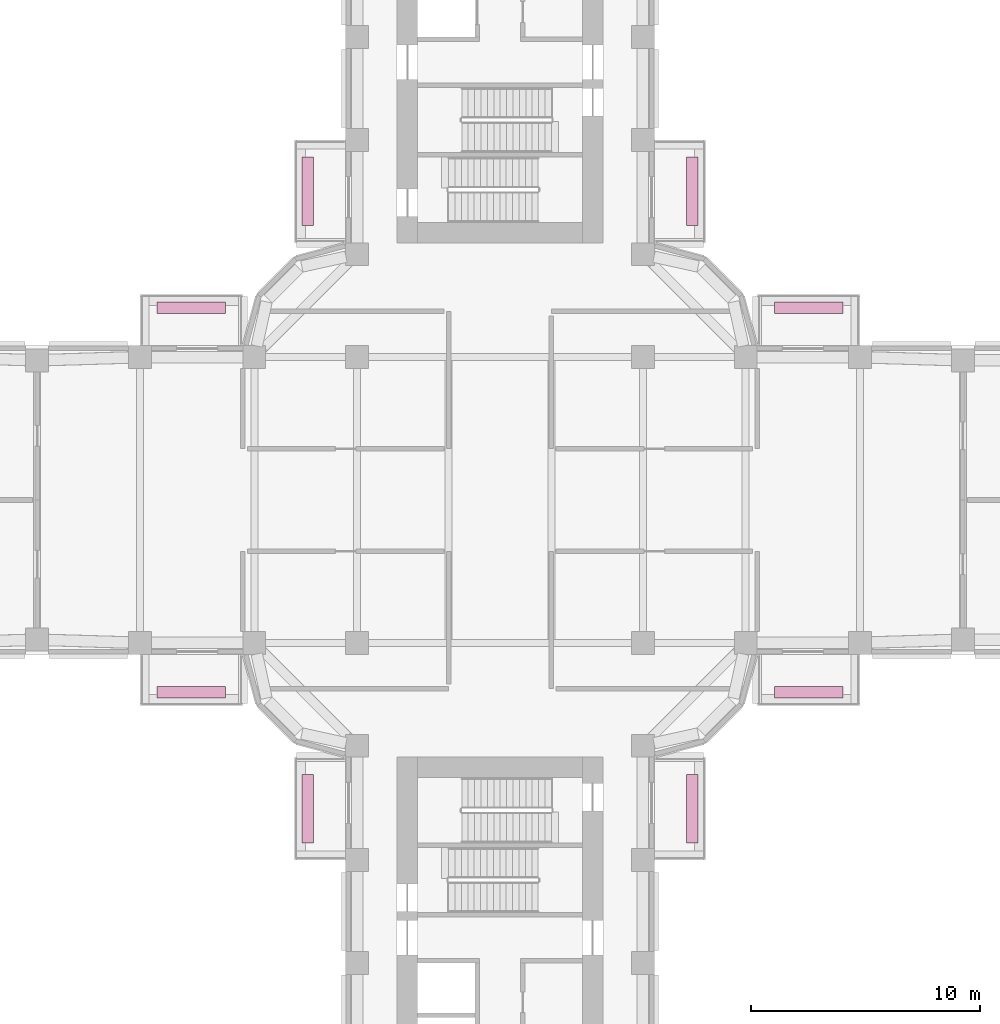
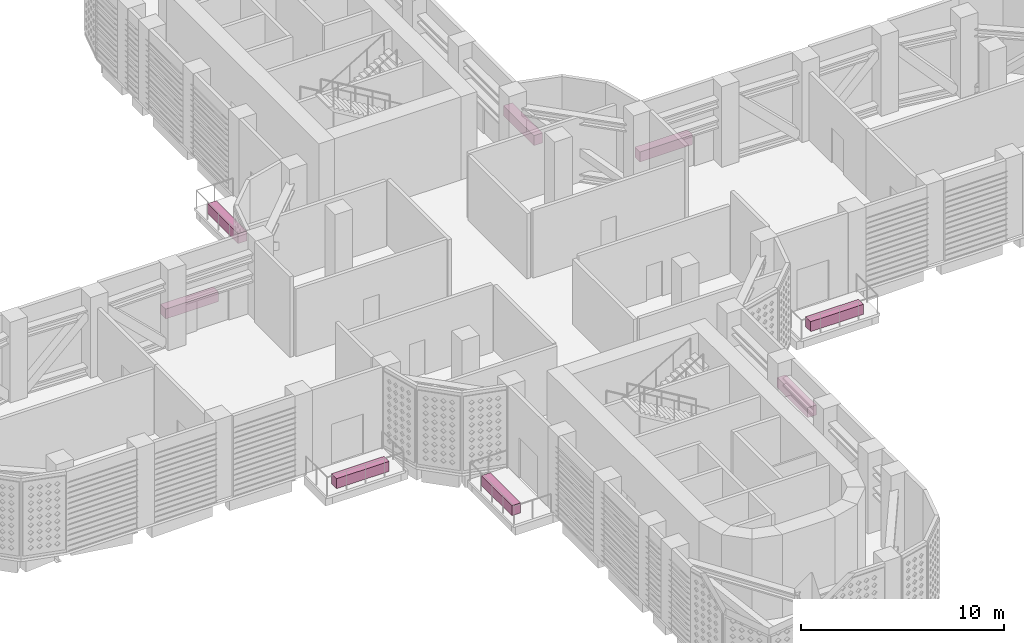
# One storey, part 20 of 20: 8 furniture elements.
"""IFC4 building model written with IfcOpenShell, lengths in metres."""

from ifc_helpers import new_model, si_unit, direction, frame, origin, origin_2d, place, context, subcontext, project, spatial, rectangle, extrude, material, type_object, element, save


model = new_model("IFC4")

# Units and contexts
model_context = context("Model", 3, precision=1e-05, world=origin(), true_north=direction((0.0, 1.0)))
body_context = subcontext(model_context, "Body", "Model", "MODEL_VIEW")
ifc_project = project(units=[si_unit("LENGTHUNIT", "METRE"), si_unit("AREAUNIT", "SQUARE_METRE"), si_unit("VOLUMEUNIT", "CUBIC_METRE"), si_unit("PLANEANGLEUNIT", "RADIAN"), si_unit("MASSUNIT", "GRAM", prefix="KILO")], contexts=[model_context])

# Site, building, storey
site_placement = place(None, origin())
site = spatial("IfcSite", under=ifc_project, at=site_placement, CompositionType="ELEMENT")
building_placement = place(site_placement, origin())
building = spatial("IfcBuilding", under=site, at=building_placement, Name="Zarbagh Exchange Tower", CompositionType="ELEMENT")
storey_placement = place(building_placement, frame((0.0, 0.0, 81.60009765625)))
storey = spatial("IfcBuildingStorey", under=building, at=storey_placement, Name="L18", CompositionType="ELEMENT", Elevation=81.60009765625)

# Furniture
ifc_material = material(Name="Concrete C40/50", Category="concrete")
furniture_type = type_object("IfcFurnitureType", Name="PLANTER planting bed, concrete trough", AssemblyPlace="NOTDEFINED", PredefinedType="USERDEFINED", material=ifc_material)
for number, where, z_axis, x_axis, name in (
    (1, (8.419921875, 13.5, -0.000244140625), (0.0, 0.0, 1.0), (0.0, -1.0, 0.0), "planter"),
    (2, (13.5, 8.419921875, -0.000244140625), (0.0, 0.0, 1.0), (1.0, 0.0, 0.0), "planter"),
    (3, (8.419921875, -13.5, -0.000244140625), (0.0, 0.0, 1.0), (0.0, -1.0, 0.0), "planter"),
    (4, (13.5, -8.419921875, -0.000244140625), (0.0, 0.0, 1.0), (-1.0, 0.0, 0.0), "planter"),
    (5, (-8.419921875, 13.5, -0.000244140625), (0.0, 0.0, 1.0), (0.0, 1.0, 0.0), "planter"),
    (6, (-13.5, 8.419921875, -0.000244140625), (0.0, 0.0, 1.0), (1.0, 0.0, 0.0), "planter"),
    (7, (-8.419921875, -13.5, -0.000244140625), (0.0, 0.0, 1.0), (0.0, 1.0, 0.0), "planter"),
    (8, (-13.5, -8.419921875, -0.000244140625), (0.0, 0.0, 1.0), (-1.0, 0.0, 0.0), "planter"),
):
    element("IfcFurniture", number, at=place(storey_placement, frame(where, z_axis=z_axis, x_axis=x_axis)), inside=storey, type_object=furniture_type, Name=name, ObjectType="PLANTER", PredefinedType="USERDEFINED", context=body_context, shape_type="SweptSolid", body=[
        extrude(rectangle(XDim=3.0, YDim=0.5, at=origin_2d()), origin(), (0.0, 0.0, 1.0), 0.60009765625),
    ])

save(model, "model.ifc")
